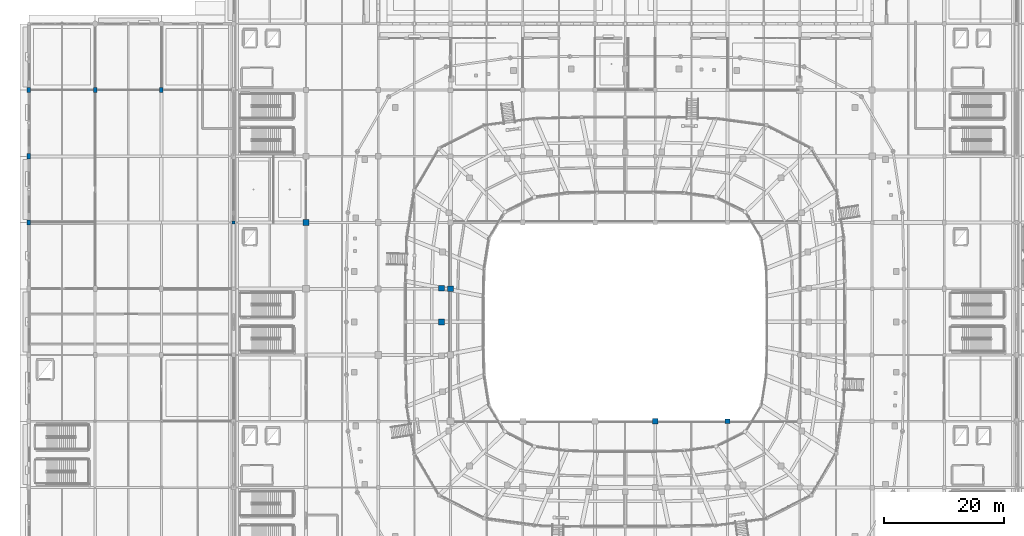
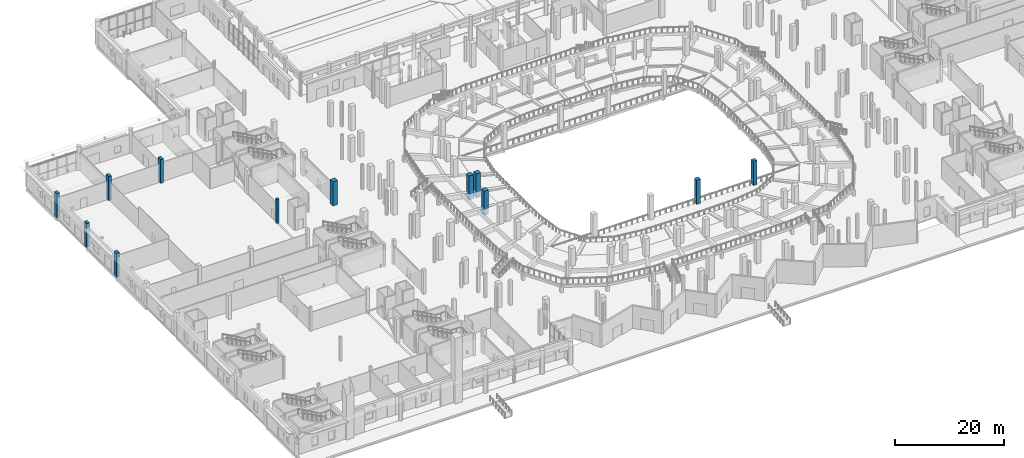
# One storey, part 6 of 120: 12 columns.
"""IFC4 building model written with IfcOpenShell, lengths in metres."""

from ifc_helpers import new_model, si_unit, direction, frame, origin, origin_2d, place, context, subcontext, project, spatial, rectangle, extrude, material, material_profile, profile_set, type_object, element, save


model = new_model("IFC4")

# Units and contexts
model_context = context("Model", 3, precision=1e-05, world=origin(), true_north=direction((0.0, 1.0)))
body_context = subcontext(model_context, "Body", "Model", "MODEL_VIEW")
ifc_project = project(units=[si_unit("LENGTHUNIT", "METRE"), si_unit("AREAUNIT", "SQUARE_METRE"), si_unit("VOLUMEUNIT", "CUBIC_METRE"), si_unit("PLANEANGLEUNIT", "RADIAN"), si_unit("MASSUNIT", "GRAM", prefix="KILO")], contexts=[model_context])

# Site, building, storey
site_placement = place(None, origin())
site = spatial("IfcSite", under=ifc_project, at=site_placement, CompositionType="ELEMENT")
building_placement = place(site_placement, origin())
building = spatial("IfcBuilding", under=site, at=building_placement, Name="Luwafu Chhajja Arena", CompositionType="ELEMENT")
storey_placement = place(building_placement, origin())
storey = spatial("IfcBuildingStorey", under=building, at=storey_placement, Name="L00", CompositionType="ELEMENT", Elevation=0.0)

# Columns
ifc_material_1 = material(Name="Concrete C40/50", Category="concrete")
ifc_material_profile_1 = material_profile(ifc_material_1, rectangle(XDim=1.0, YDim=1.0, at=origin_2d()), Name="RC 1000x1000")
ifc_profile_set_1 = profile_set([ifc_material_profile_1], Name="Concrete C40/50")
column_type_1 = type_object("IfcColumnType", Name="Bowl Primary Column RC 1000", PredefinedType="COLUMN", material=ifc_profile_set_1)
column_1_placement = place(storey_placement, frame((46.0, 66.0, 0.0), z_axis=(0.0, 0.0, 1.0), x_axis=(1.0, 0.0, 0.0)))
element("IfcColumn", 1, at=column_1_placement, inside=storey, type_object=column_type_1, Name="L00 Grid Column 5/G", PredefinedType="COLUMN", context=body_context, shape_type="SweptSolid", body=[
    extrude(rectangle(XDim=1.0, YDim=1.0, at=origin_2d()), origin(), (0.0, 0.0, 1.0), 5.39990234375),
])
ifc_material_profile_2 = material_profile(ifc_material_1, rectangle(XDim=0.949951171875, YDim=0.949951171875, at=origin_2d()), Name="RC 950x950")
ifc_profile_set_2 = profile_set([ifc_material_profile_2], Name="Concrete C40/50")
column_type_2 = type_object("IfcColumnType", Name="Bowl Raker Support Column RC 950", PredefinedType="COLUMN", material=ifc_profile_set_2)
for number, where, z_axis, x_axis, name in (
    (2, (70.0, 55.0, 0.0), (0.0, 0.0, 1.0), (1.0, 0.0, 0.0), "L00 Grid Column 7/F"),
    (3, (68.50830078125, 55.10791015625, 0.0), (0.0, 0.0, 1.0), (1.0, 0.0, 0.0), "L00 Upper Bowl Raker Column UI16"),
    (4, (68.5, 49.5, 0.0), (0.0, 0.0, 1.0), (1.0, 0.0, 0.0), "L00 Upper Bowl Raker Column UI17"),
):
    element("IfcColumn", number, at=place(storey_placement, frame(where, z_axis=z_axis, x_axis=x_axis)), inside=storey, type_object=column_type_2, Name=name, PredefinedType="COLUMN", context=body_context, shape_type="SweptSolid", body=[
        extrude(rectangle(XDim=0.949951171875, YDim=0.949951171875, at=origin_2d()), origin(), (0.0, 0.0, 1.0), 5.39990234375),
    ])
ifc_material_2 = material(Name="Concrete C35/45", Category="concrete")
ifc_material_profile_3 = material_profile(ifc_material_2, rectangle(XDim=0.85009765625, YDim=0.85009765625, at=origin_2d()), Name="RC 850x850")
ifc_profile_set_3 = profile_set([ifc_material_profile_3], Name="Concrete C35/45")
column_type_3 = type_object("IfcColumnType", Name="Concourse Heavy Column RC 850", PredefinedType="COLUMN", material=ifc_profile_set_3)
column_2_placement = place(storey_placement, frame((104.0, 33.0, 0.0), z_axis=(0.0, 0.0, 1.0), x_axis=(1.0, 0.0, 0.0)))
element("IfcColumn", 5, at=column_2_placement, inside=storey, type_object=column_type_3, Name="L00 Grid Column 10/D", PredefinedType="COLUMN", context=body_context, shape_type="SweptSolid", body=[
    extrude(rectangle(XDim=0.85009765625, YDim=0.85009765625, at=origin_2d()), origin(), (0.0, 0.0, 1.0), 5.39990234375),
])
ifc_material_profile_4 = material_profile(ifc_material_2, rectangle(XDim=0.800048828125, YDim=0.800048828125, at=origin_2d()), Name="RC 800x800")
ifc_profile_set_4 = profile_set([ifc_material_profile_4], Name="Concrete C35/45")
column_type_4 = type_object("IfcColumnType", Name="Concourse Standard Column RC 800", PredefinedType="COLUMN", material=ifc_profile_set_4)
column_3_placement = place(storey_placement, frame((116.0, 33.0, 0.0), z_axis=(0.0, 0.0, 1.0), x_axis=(1.0, 0.0, 0.0)))
element("IfcColumn", 6, at=column_3_placement, inside=storey, type_object=column_type_4, Name="L00 Grid Column 11/D", PredefinedType="COLUMN", context=body_context, shape_type="SweptSolid", body=[
    extrude(rectangle(XDim=0.800048828125, YDim=0.800048828125, at=origin_2d()), origin(), (0.0, 0.0, 1.0), 5.39990234375),
])
ifc_material_profile_5 = material_profile(ifc_material_2, rectangle(XDim=0.5, YDim=0.5, at=origin_2d()), Name="RC 500x500")
ifc_profile_set_5 = profile_set([ifc_material_profile_5], Name="Concrete C35/45")
column_type_5 = type_object("IfcColumnType", Name="Pavilion Column RC 500", PredefinedType="COLUMN", material=ifc_profile_set_5)
column_4_placement = place(storey_placement, frame((34.0, 66.0, 0.0), z_axis=(0.0, 0.0, 1.0), x_axis=(1.0, 0.0, 0.0)))
element("IfcColumn", 7, at=column_4_placement, inside=storey, type_object=column_type_5, Name="L00 Grid Column 4/G", PredefinedType="COLUMN", context=body_context, shape_type="SweptSolid", body=[
    extrude(rectangle(XDim=0.5, YDim=0.5, at=origin_2d()), origin(), (0.0, 0.0, 1.0), 5.39990234375),
])
ifc_material_profile_6 = material_profile(ifc_material_1, rectangle(XDim=0.60009765625, YDim=0.89990234375, at=origin_2d()), Name="RC 600x900")
ifc_profile_set_6 = profile_set([ifc_material_profile_6], Name="Concrete C40/50")
column_type_6 = type_object("IfcColumnType", Name="Warm-Up Hall Portal Column RC 600x900", PredefinedType="COLUMN", material=ifc_profile_set_6)
for number, where, z_axis, x_axis, name in (
    (8, (0.0, 66.0, 0.0), (0.0, 0.0, 1.0), (1.0, 0.0, 0.0), "L00 Grid Column 1/G"),
    (9, (0.0, 77.0, 0.0), (0.0, 0.0, 1.0), (1.0, 0.0, 0.0), "L00 Grid Column 1/H"),
    (10, (0.0, 88.0, 0.0), (0.0, 0.0, 1.0), (1.0, 0.0, 0.0), "L00 Grid Column 1/J"),
    (11, (11.0, 88.0, 0.0), (0.0, 0.0, 1.0), (1.0, 0.0, 0.0), "L00 Grid Column 2/J"),
    (12, (22.0, 88.0, 0.0), (0.0, 0.0, 1.0), (1.0, 0.0, 0.0), "L00 Grid Column 3/J"),
):
    element("IfcColumn", number, at=place(storey_placement, frame(where, z_axis=z_axis, x_axis=x_axis)), inside=storey, type_object=column_type_6, Name=name, PredefinedType="COLUMN", context=body_context, shape_type="SweptSolid", body=[
        extrude(rectangle(XDim=0.60009765625, YDim=0.89990234375, at=origin_2d()), origin(), (0.0, 0.0, 1.0), 5.39990234375),
    ])

save(model, "model.ifc")
